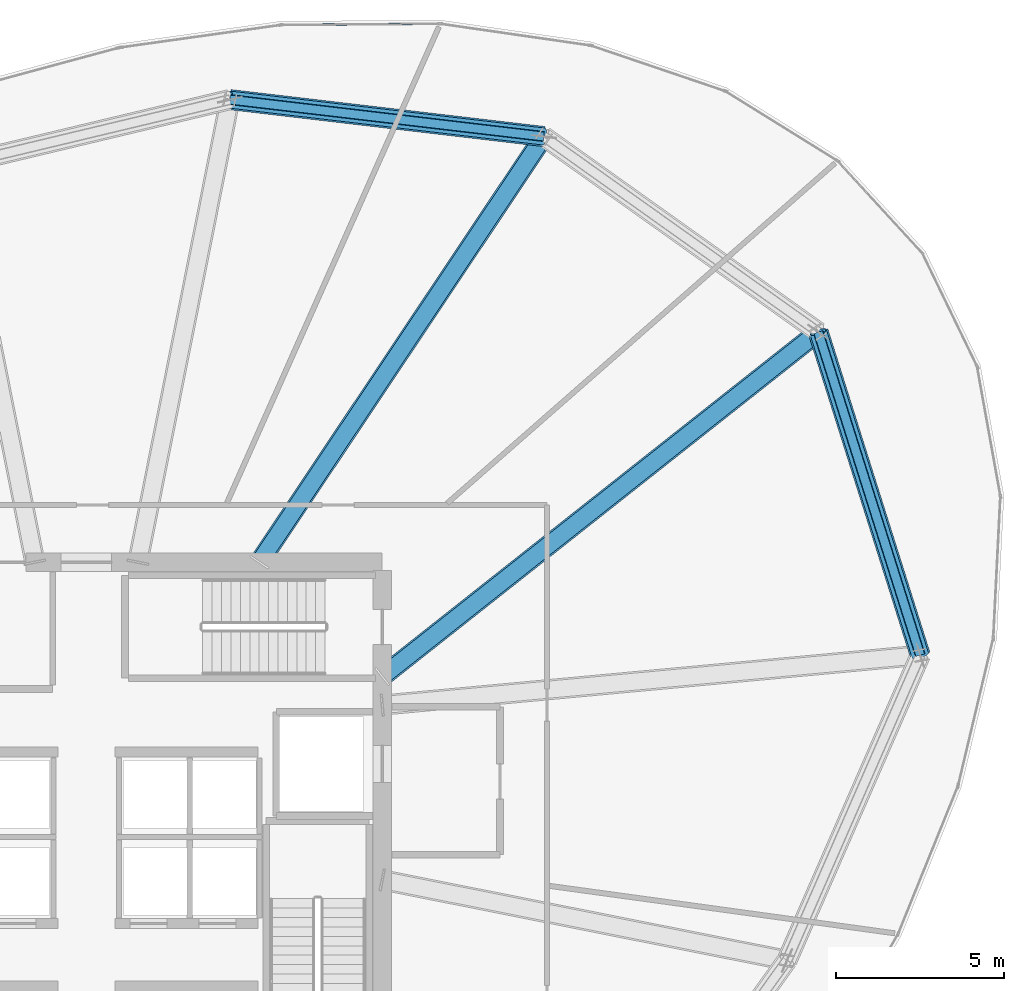
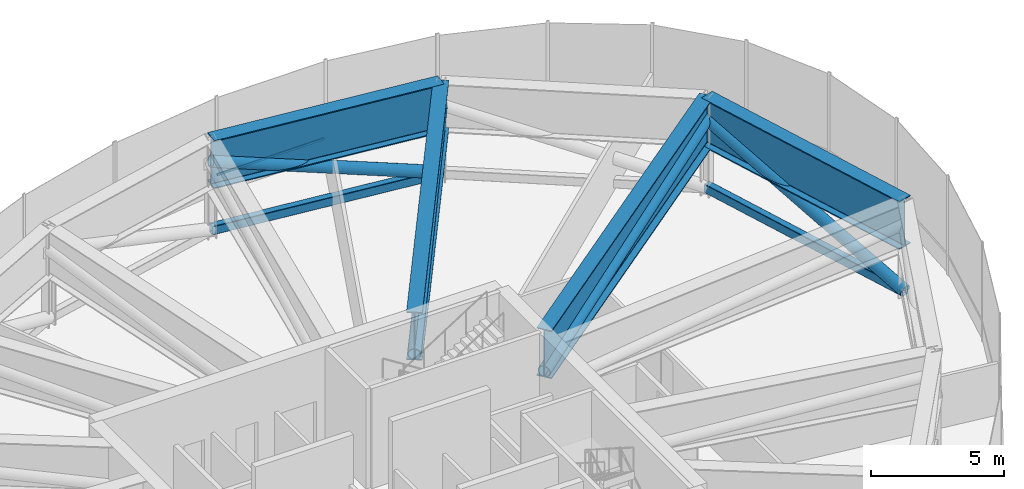
# One storey, part 21 of 30: 7 members, 4 beams, 1 element without a shape of its own.
"""IFC4 building model written with IfcOpenShell, lengths in metres."""

from ifc_helpers import new_model, si_unit, direction, frame, origin, origin_2d, place, context, subcontext, project, spatial, hollow_rectangle, hollow_circle, i_section, extrude, source, transform, mapped, material, layer, layer_set, material_profile, profile_set, type_object, element, aggregate, save


model = new_model("IFC4")

# Units and contexts
model_context = context("Model", 3, precision=1e-05, world=origin(), true_north=direction((0.0, 1.0)))
body_context = subcontext(model_context, "Body", "Model", "MODEL_VIEW")
ifc_project = project(units=[si_unit("LENGTHUNIT", "METRE"), si_unit("AREAUNIT", "SQUARE_METRE"), si_unit("VOLUMEUNIT", "CUBIC_METRE"), si_unit("PLANEANGLEUNIT", "RADIAN"), si_unit("MASSUNIT", "GRAM", prefix="KILO"), si_unit("THERMODYNAMICTEMPERATUREUNIT", "KELVIN")], contexts=[model_context])

# Site, building, storey
site_placement = place(None, origin())
site = spatial("IfcSite", under=ifc_project, at=site_placement, CompositionType="ELEMENT")
building_placement = place(site_placement, origin())
building = spatial("IfcBuilding", under=site, at=building_placement, Name="Kethvar Cultural Tower", CompositionType="ELEMENT")
storey_placement = place(building_placement, frame((0.0, 0.0, 171.39990234375)))
storey = spatial("IfcBuildingStorey", under=building, at=storey_placement, Name="L44", CompositionType="ELEMENT", Elevation=171.39990234375)

# Beam
ifc_material_1 = material(Name="Steel S460M", Category="steel")
ifc_material_profile_1 = material_profile(ifc_material_1, i_section(OverallWidth=0.60009765625, OverallDepth=2.199951171875, WebThickness=0.028076171875, FlangeThickness=0.044921875, FilletRadius=0.02197265625, at=origin_2d()), Name="Steel S460M — PG2200x600x45x28")
ifc_profile_set_1 = profile_set([ifc_material_profile_1], Name="Steel S460M — PG2200x600x45x28")
beam_type = type_object("IfcBeamType", Name="BM-TR2200", PredefinedType="BEAM", material=ifc_profile_set_1)
shared_shape_1 = source(origin(), body_context, "Body", "SweptSolid", [
    extrude(i_section(OverallWidth=0.60009765625, OverallDepth=2.199951171875, WebThickness=0.028076171875, FlangeThickness=0.044921875, FilletRadius=0.02197265625, at=origin_2d()), origin(), (0.0, 0.0, 1.0), 10.079345703125),
])
beam_1_placement = place(storey_placement, frame((71.6025390625, 32.7333984375, 3.47802734375), z_axis=(-0.301007326566, 0.953621827222, 0.0), x_axis=(-0.953621827222, -0.301007326566, 0.0)))
element("IfcBeam", 1, at=beam_1_placement, inside=storey, type_object=beam_type, Name="L44 Ring Belt Girder BG-01", PredefinedType="BEAM", context=body_context, shape_type="MappedRepresentation", body=[
    mapped(shared_shape_1, transform((0.0, 0.0, 0.0), scale=1.0)),
])

# Members
ifc_material_profile_2 = material_profile(ifc_material_1, hollow_rectangle(XDim=0.300048828125, YDim=0.39990234375, WallThickness=0.01611328125, InnerFilletRadius=0.01611328125, OuterFilletRadius=0.031982421875, at=origin_2d()), Name="Steel S460M — RHS400x300x16")
ifc_profile_set_2 = profile_set([ifc_material_profile_2], Name="Steel S460M — RHS400x300x16")
member_type_1 = type_object("IfcMemberType", Name="MB-CHD-400", PredefinedType="CHORD", material=ifc_profile_set_2)
shared_shape_2 = source(origin(), body_context, "Body", "SweptSolid", [
    extrude(hollow_rectangle(XDim=0.300048828125, YDim=0.39990234375, WallThickness=0.01611328125, InnerFilletRadius=0.01611328125, OuterFilletRadius=0.031982421875, at=origin_2d()), origin(), (0.0, 0.0, 1.0), 10.079345703125),
])
member_1_placement = place(storey_placement, frame((71.6025390625, 32.7333984375, 0.35009765625), z_axis=(-0.301007326566, 0.953621827222, 0.0), x_axis=(-0.953621827222, -0.301007326566, 0.0)))
element("IfcMember", 2, at=member_1_placement, inside=storey, type_object=member_type_1, Name="L44 Ring Belt Bottom Chord BC-01", PredefinedType="CHORD", context=body_context, shape_type="MappedRepresentation", body=[
    mapped(shared_shape_2, transform((0.0, 0.0, 0.0), scale=1.0)),
])
ifc_material_profile_3 = material_profile(ifc_material_1, hollow_circle(Radius=0.25390625, WallThickness=0.02001953125, at=origin_2d()), Name="Steel S460M — CHS508x20")
ifc_profile_set_3 = profile_set([ifc_material_profile_3], Name="Steel S460M — CHS508x20")
member_type_2 = type_object("IfcMemberType", Name="MB-OUT-508", PredefinedType="BRACE", material=ifc_profile_set_3)
shared_shape_3 = source(origin(), body_context, "Body", "SweptSolid", [
    extrude(hollow_circle(Radius=0.25390625, WallThickness=0.02001953125, at=origin_2d()), origin(), (0.0, 0.0, 1.0), 10.553466796875),
])
member_2_placement = place(storey_placement, frame((71.6025390625, 32.7333984375, 0.35009765625), z_axis=(-0.287482280251, 0.910773104812, 0.296388748256), x_axis=(-0.953621827222, -0.301007326566, 0.0)))
element("IfcMember", 3, at=member_2_placement, inside=storey, type_object=member_type_2, Name="L44 Ring Belt Diagonal BD-01", PredefinedType="BRACE", context=body_context, shape_type="MappedRepresentation", body=[
    mapped(shared_shape_3, transform((0.0, 0.0, 0.0), scale=1.0)),
])

# Beam
shared_shape_4 = source(origin(), body_context, "Body", "SweptSolid", [
    extrude(i_section(OverallWidth=0.60009765625, OverallDepth=2.199951171875, WebThickness=0.028076171875, FlangeThickness=0.044921875, FilletRadius=0.02197265625, at=origin_2d()), origin(), (0.0, 0.0, 1.0), 16.527099609375),
])
beam_2_placement = place(storey_placement, frame((55.60009765625, 32.10009765625, 3.47802734375), z_axis=(0.784681939021, 0.619898584105, 0.0), x_axis=(-0.619898584105, 0.784681939021, 0.0)))
element("IfcBeam", 4, at=beam_2_placement, inside=storey, type_object=beam_type, Name="L44 Outrigger Transfer Girder OG-02", PredefinedType="BEAM", context=body_context, shape_type="MappedRepresentation", body=[
    mapped(shared_shape_4, transform((0.0, 0.0, 0.0), scale=1.0)),
])

# Member
shared_shape_5 = source(origin(), body_context, "Body", "SweptSolid", [
    extrude(hollow_circle(Radius=0.25390625, WallThickness=0.02001953125, at=origin_2d()), origin(), (0.0, 0.0, 1.0), 16.5478515625),
])
member_3_placement = place(storey_placement, frame((55.60009765625, 32.10009765625, 2.650146484375), z_axis=(0.783699308164, 0.619122305913, 0.050029638246), x_axis=(-0.619898584105, 0.784681939021, 0.0)))
element("IfcMember", 5, at=member_3_placement, inside=storey, type_object=member_type_2, Name="L44 Outrigger Truss Diagonal OB-02", PredefinedType="BRACE", context=body_context, shape_type="MappedRepresentation", body=[
    mapped(shared_shape_5, transform((0.0, 0.0, 0.0), scale=1.0)),
])

# Beam
shared_shape_6 = source(origin(), body_context, "Body", "SweptSolid", [
    extrude(i_section(OverallWidth=0.60009765625, OverallDepth=2.199951171875, WebThickness=0.028076171875, FlangeThickness=0.044921875, FilletRadius=0.02197265625, at=origin_2d()), origin(), (0.0, 0.0, 1.0), 15.22705078125),
])
beam_3_placement = place(storey_placement, frame((51.945068359375, 35.5, 3.47802734375), z_axis=(0.555569390778, 0.83147017507, 0.0), x_axis=(-0.83147017507, 0.555569390778, 0.0)))
element("IfcBeam", 6, at=beam_3_placement, inside=storey, type_object=beam_type, Name="L44 Outrigger Transfer Girder OG-03", PredefinedType="BEAM", context=body_context, shape_type="MappedRepresentation", body=[
    mapped(shared_shape_6, transform((0.0, 0.0, 0.0), scale=1.0)),
])

# Member
shared_shape_7 = source(origin(), body_context, "Body", "SweptSolid", [
    extrude(hollow_circle(Radius=0.25390625, WallThickness=0.02001953125, at=origin_2d()), origin(), (0.0, 0.0, 1.0), 15.24951171875),
])
member_4_placement = place(storey_placement, frame((51.945068359375, 35.5, 2.650146484375), z_axis=(0.5547500823, 0.830243990591, 0.054288693806), x_axis=(-0.83147017507, 0.555569390778, 0.0)))
element("IfcMember", 7, at=member_4_placement, inside=storey, type_object=member_type_2, Name="L44 Outrigger Truss Diagonal OB-03", PredefinedType="BRACE", context=body_context, shape_type="MappedRepresentation", body=[
    mapped(shared_shape_7, transform((0.0, 0.0, 0.0), scale=1.0)),
])

# Beam
shared_shape_8 = source(origin(), body_context, "Body", "SweptSolid", [
    extrude(i_section(OverallWidth=0.60009765625, OverallDepth=2.199951171875, WebThickness=0.028076171875, FlangeThickness=0.044921875, FilletRadius=0.02197265625, at=origin_2d()), origin(), (0.0, 0.0, 1.0), 9.400634765625),
])
beam_4_placement = place(storey_placement, frame((60.40478515625, 48.160888671875, 3.47802734375), z_axis=(-0.993150427046, 0.116842754407, 0.0), x_axis=(-0.116842754407, -0.993150427046, 0.0)))
element("IfcBeam", 8, at=beam_4_placement, inside=storey, type_object=beam_type, Name="L44 Ring Belt Girder BG-03", PredefinedType="BEAM", context=body_context, shape_type="MappedRepresentation", body=[
    mapped(shared_shape_8, transform((0.0, 0.0, 0.0), scale=1.0)),
])

# Members
shared_shape_9 = source(origin(), body_context, "Body", "SweptSolid", [
    extrude(hollow_rectangle(XDim=0.300048828125, YDim=0.39990234375, WallThickness=0.01611328125, InnerFilletRadius=0.01611328125, OuterFilletRadius=0.031982421875, at=origin_2d()), origin(), (0.0, 0.0, 1.0), 9.400634765625),
])
member_5_placement = place(storey_placement, frame((60.40478515625, 48.160888671875, 0.35009765625), z_axis=(-0.993150427046, 0.116842754407, 0.0), x_axis=(-0.116842754407, -0.993150427046, 0.0)))
element("IfcMember", 9, at=member_5_placement, inside=storey, type_object=member_type_1, Name="L44 Ring Belt Bottom Chord BC-03", PredefinedType="CHORD", context=body_context, shape_type="MappedRepresentation", body=[
    mapped(shared_shape_9, transform((0.0, 0.0, 0.0), scale=1.0)),
])
shared_shape_10 = source(origin(), body_context, "Body", "SweptSolid", [
    extrude(hollow_circle(Radius=0.25390625, WallThickness=0.02001953125, at=origin_2d()), origin(), (0.0, 0.0, 1.0), 9.9072265625),
])
member_6_placement = place(storey_placement, frame((60.40478515625, 48.160888671875, 0.35009765625), z_axis=(-0.942353322125, 0.110866546279, 0.315719535657), x_axis=(-0.116842754407, -0.993150427046, 0.0)))
element("IfcMember", 10, at=member_6_placement, inside=storey, type_object=member_type_2, Name="L44 Ring Belt Diagonal BD-03", PredefinedType="BRACE", context=body_context, shape_type="MappedRepresentation", body=[
    mapped(shared_shape_10, transform((0.0, 0.0, 0.0), scale=1.0)),
])

# Curtain wall, member
ifc_material_2 = material(Name="Aluminium 6063-T6", Category="aluminium")
ifc_layer = layer(ifc_material_2, 0.179931640625, Name="Aluminium 6063-T6", Category="aluminium")
ifc_layer_set = layer_set([ifc_layer], Name="Aluminium 6063-T6 (180 mm)")
curtain_wall_type = type_object("IfcCurtainWallType", Name="CW-SYS-04-Z34", PredefinedType="NOTDEFINED", material=ifc_layer_set)
curtain_wall_placement = place(storey_placement, origin())
curtain_wall = element("IfcCurtainWall", 11, at=curtain_wall_placement, inside=storey, type_object=curtain_wall_type, Name="L44 Curtain Wall Run 01", PredefinedType="NOTDEFINED")
ifc_material_profile_4 = material_profile(ifc_material_2, hollow_rectangle(XDim=0.050048828125, YDim=0.10009765625, WallThickness=0.00390625, at=origin_2d()), Name="Aluminium 6063-T6 — RHS100x50x4")
ifc_profile_set_4 = profile_set([ifc_material_profile_4], Name="Aluminium 6063-T6 — RHS100x50x4")
member_type_3 = type_object("IfcMemberType", Name="CW-SYS-04-Z34-TRN", PredefinedType="USERDEFINED", material=ifc_profile_set_4)
shared_shape_11 = source(origin(), body_context, "Body", "SweptSolid", [
    extrude(hollow_rectangle(XDim=0.050048828125, YDim=0.10009765625, WallThickness=0.00390625, at=origin_2d()), origin(), (0.0, 0.0, 1.0), 4.6708984375),
])
member_7_placement = place(storey_placement, frame((57.28564453125, 51.51611328125, 0.9501953125), z_axis=(-0.99997127818, -0.007579103828, 0.0), x_axis=(0.007579103828, -0.99997127818, 0.0)))
member_7 = element("IfcMember", 12, at=member_7_placement, type_object=member_type_3, Name="CW-L44-R01 Transom 5", ObjectType="TRANSOM", PredefinedType="USERDEFINED", context=body_context, shape_type="MappedRepresentation", body=[
    mapped(shared_shape_11, transform((0.0, 0.0, 0.0), scale=1.0)),
])
aggregate(curtain_wall, [member_7])

save(model, "model.ifc")
